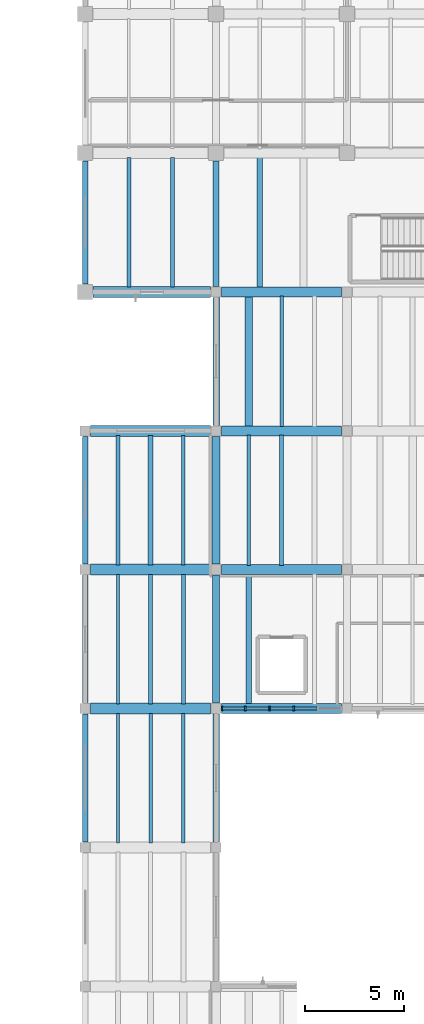
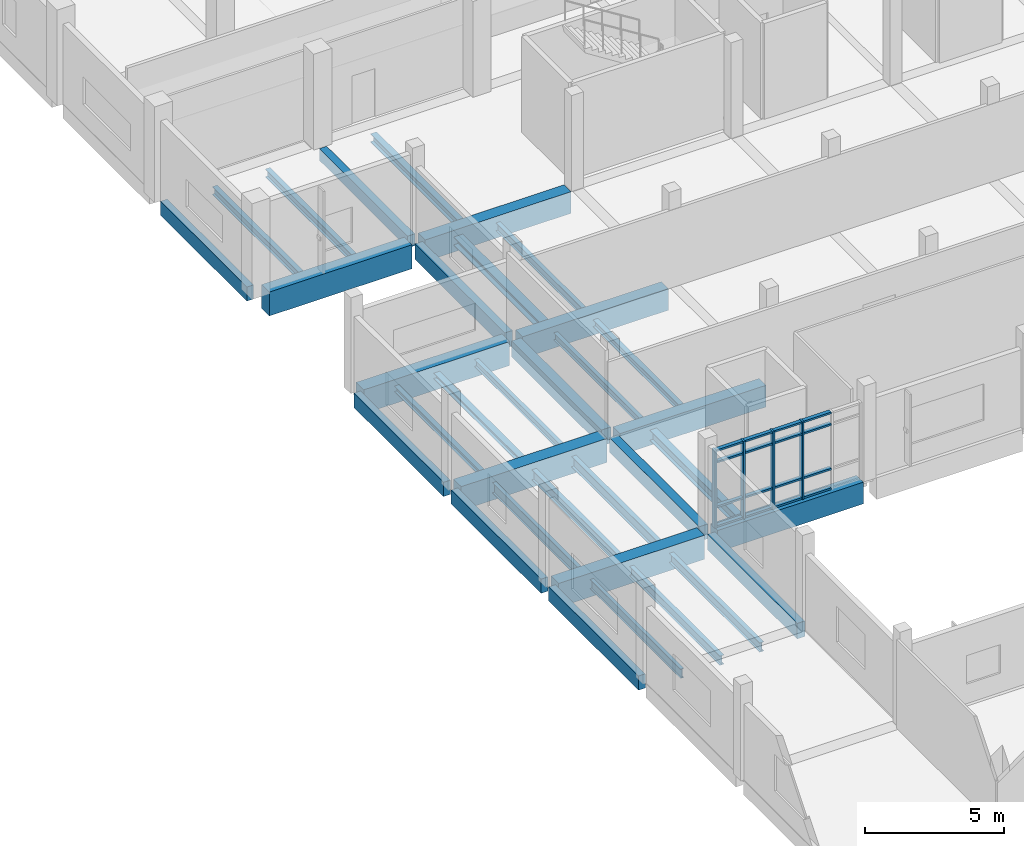
# One storey, part 24 of 65: 34 beams, 20 members, 1 element without a shape of its own.
"""IFC4 building model written with IfcOpenShell, lengths in metres."""

from ifc_helpers import new_model, si_unit, direction, frame, origin, origin_2d, place, context, subcontext, project, spatial, rectangle, i_section, extrude, material, material_profile, profile_set, type_object, element, aggregate, save


model = new_model("IFC4")

# Units and contexts
model_context = context("Model", 3, precision=1e-05, world=origin(), true_north=direction((0.0, 1.0)))
body_context = subcontext(model_context, "Body", "Model", "MODEL_VIEW")
ifc_project = project(units=[si_unit("LENGTHUNIT", "METRE"), si_unit("AREAUNIT", "SQUARE_METRE"), si_unit("VOLUMEUNIT", "CUBIC_METRE"), si_unit("PLANEANGLEUNIT", "RADIAN"), si_unit("MASSUNIT", "GRAM", prefix="KILO")], contexts=[model_context])

# Site, building, storey
site_placement = place(None, origin())
site = spatial("IfcSite", under=ifc_project, at=site_placement, CompositionType="ELEMENT")
building_placement = place(site_placement, origin())
building = spatial("IfcBuilding", under=site, at=building_placement, Name="Ciguamira Faculty of Natural Sciences", CompositionType="ELEMENT")
storey_placement = place(building_placement, frame((0.0, 0.0, 12.60009765625)))
storey = spatial("IfcBuildingStorey", under=building, at=storey_placement, Name="L03", CompositionType="ELEMENT", Elevation=12.60009765625)

# Curtain wall, members
ifc_material_1 = material(Name="Anodized aluminium curtain wall", Category="aluminium")
curtain_wall_type = type_object("IfcCurtainWallType", Name="CurtainWall_CW-09", PredefinedType="USERDEFINED", material=ifc_material_1)
curtain_wall_placement = place(storey_placement, origin())
curtain_wall = element("IfcCurtainWall", 1, at=curtain_wall_placement, inside=storey, type_object=curtain_wall_type, Name="L03 unitised curtain wall 0093", ObjectType="UNITISED CURTAIN WALL", PredefinedType="USERDEFINED")
ifc_material_2 = material(Name="Anodized aluminium mullion", Category="aluminium")
ifc_material_profile_1 = material_profile(ifc_material_2, rectangle(XDim=0.080078125, YDim=0.219970703125, at=origin_2d()), Name="ALU-MUL-80X220")
ifc_profile_set_1 = profile_set([ifc_material_profile_1], Name="Anodized aluminium mullion")
member_type_1 = type_object("IfcMemberType", Name="CWMullion_CWM-03", PredefinedType="MULLION", material=ifc_profile_set_1)
member_1_placement = place(storey_placement, frame((64.18994140625, 73.0, 0.0), z_axis=(0.0, 0.0, 1.0), x_axis=(1.0, 0.0, 0.0)))
member_1 = element("IfcMember", 2, at=member_1_placement, type_object=member_type_1, Name="CW-09 mullion 1", PredefinedType="MULLION", context=body_context, shape_type="SweptSolid", body=[
    extrude(rectangle(XDim=0.080078125, YDim=0.219970703125, at=origin_2d()), origin(), (0.0, 0.0, 1.0), 3.40478515625),
])
member_2_placement = place(storey_placement, frame((65.3701171875, 73.0, 0.0), z_axis=(0.0, 0.0, 1.0), x_axis=(1.0, 0.0, 0.0)))
member_2 = element("IfcMember", 3, at=member_2_placement, type_object=member_type_1, Name="CW-09 mullion 2", PredefinedType="MULLION", context=body_context, shape_type="SweptSolid", body=[
    extrude(rectangle(XDim=0.080078125, YDim=0.219970703125, at=origin_2d()), origin(), (0.0, 0.0, 1.0), 3.40478515625),
])
member_3_placement = place(storey_placement, frame((66.590087890625, 73.0, 0.0), z_axis=(0.0, 0.0, 1.0), x_axis=(1.0, 0.0, 0.0)))
member_3 = element("IfcMember", 4, at=member_3_placement, type_object=member_type_1, Name="CW-09 mullion 3", PredefinedType="MULLION", context=body_context, shape_type="SweptSolid", body=[
    extrude(rectangle(XDim=0.080078125, YDim=0.219970703125, at=origin_2d()), origin(), (0.0, 0.0, 1.0), 3.40478515625),
])
member_4_placement = place(storey_placement, frame((67.81005859375, 73.0, 0.0), z_axis=(0.0, 0.0, 1.0), x_axis=(1.0, 0.0, 0.0)))
member_4 = element("IfcMember", 5, at=member_4_placement, type_object=member_type_1, Name="CW-09 mullion 4", PredefinedType="MULLION", context=body_context, shape_type="SweptSolid", body=[
    extrude(rectangle(XDim=0.080078125, YDim=0.219970703125, at=origin_2d()), origin(), (0.0, 0.0, 1.0), 3.40478515625),
])
ifc_material_3 = material(Name="Anodized aluminium transom", Category="aluminium")
ifc_material_profile_2 = material_profile(ifc_material_3, rectangle(XDim=0.080078125, YDim=0.159912109375, at=origin_2d()), Name="ALU-TRN-80X160")
ifc_profile_set_2 = profile_set([ifc_material_profile_2], Name="Anodized aluminium transom")
member_type_2 = type_object("IfcMemberType", Name="CWTransom_CWT-03", PredefinedType="USERDEFINED", material=ifc_profile_set_2)
member_5_placement = place(storey_placement, frame((64.22998046875, 73.0, 0.039794921875), z_axis=(1.0, 0.0, 0.0), x_axis=(0.0, 0.0, 1.0)))
member_5 = element("IfcMember", 6, at=member_5_placement, type_object=member_type_2, Name="CW-09 transom 1.1", ObjectType="TRANSOM", PredefinedType="USERDEFINED", context=body_context, shape_type="SweptSolid", body=[
    extrude(rectangle(XDim=0.080078125, YDim=0.159912109375, at=origin_2d()), origin(), (0.0, 0.0, 1.0), 1.10009765625),
])
member_6_placement = place(storey_placement, frame((64.22998046875, 73.0, 0.89990234375), z_axis=(1.0, 0.0, 0.0), x_axis=(0.0, 0.0, 1.0)))
member_6 = element("IfcMember", 7, at=member_6_placement, type_object=member_type_2, Name="CW-09 transom 1.2", ObjectType="TRANSOM", PredefinedType="USERDEFINED", context=body_context, shape_type="SweptSolid", body=[
    extrude(rectangle(XDim=0.080078125, YDim=0.159912109375, at=origin_2d()), origin(), (0.0, 0.0, 1.0), 1.10009765625),
])
member_7_placement = place(storey_placement, frame((64.22998046875, 73.0, 2.85498046875), z_axis=(1.0, 0.0, 0.0), x_axis=(0.0, 0.0, 1.0)))
member_7 = element("IfcMember", 8, at=member_7_placement, type_object=member_type_2, Name="CW-09 transom 1.3", ObjectType="TRANSOM", PredefinedType="USERDEFINED", context=body_context, shape_type="SweptSolid", body=[
    extrude(rectangle(XDim=0.080078125, YDim=0.159912109375, at=origin_2d()), origin(), (0.0, 0.0, 1.0), 1.10009765625),
])
member_8_placement = place(storey_placement, frame((64.22998046875, 73.0, 3.364990234375), z_axis=(1.0, 0.0, 0.0), x_axis=(0.0, 0.0, 1.0)))
member_8 = element("IfcMember", 9, at=member_8_placement, type_object=member_type_2, Name="CW-09 transom 1.4", ObjectType="TRANSOM", PredefinedType="USERDEFINED", context=body_context, shape_type="SweptSolid", body=[
    extrude(rectangle(XDim=0.080078125, YDim=0.159912109375, at=origin_2d()), origin(), (0.0, 0.0, 1.0), 1.10009765625),
])
member_9_placement = place(storey_placement, frame((65.409912109375, 73.0, 0.039794921875), z_axis=(1.0, 0.0, 0.0), x_axis=(0.0, 0.0, 1.0)))
member_9 = element("IfcMember", 10, at=member_9_placement, type_object=member_type_2, Name="CW-09 transom 2.1", ObjectType="TRANSOM", PredefinedType="USERDEFINED", context=body_context, shape_type="SweptSolid", body=[
    extrude(rectangle(XDim=0.080078125, YDim=0.159912109375, at=origin_2d()), origin(), (0.0, 0.0, 1.0), 1.14013671875),
])
member_10_placement = place(storey_placement, frame((65.409912109375, 73.0, 0.89990234375), z_axis=(1.0, 0.0, 0.0), x_axis=(0.0, 0.0, 1.0)))
member_10 = element("IfcMember", 11, at=member_10_placement, type_object=member_type_2, Name="CW-09 transom 2.2", ObjectType="TRANSOM", PredefinedType="USERDEFINED", context=body_context, shape_type="SweptSolid", body=[
    extrude(rectangle(XDim=0.080078125, YDim=0.159912109375, at=origin_2d()), origin(), (0.0, 0.0, 1.0), 1.14013671875),
])
member_11_placement = place(storey_placement, frame((65.409912109375, 73.0, 2.85498046875), z_axis=(1.0, 0.0, 0.0), x_axis=(0.0, 0.0, 1.0)))
member_11 = element("IfcMember", 12, at=member_11_placement, type_object=member_type_2, Name="CW-09 transom 2.3", ObjectType="TRANSOM", PredefinedType="USERDEFINED", context=body_context, shape_type="SweptSolid", body=[
    extrude(rectangle(XDim=0.080078125, YDim=0.159912109375, at=origin_2d()), origin(), (0.0, 0.0, 1.0), 1.14013671875),
])
member_12_placement = place(storey_placement, frame((65.409912109375, 73.0, 3.364990234375), z_axis=(1.0, 0.0, 0.0), x_axis=(0.0, 0.0, 1.0)))
member_12 = element("IfcMember", 13, at=member_12_placement, type_object=member_type_2, Name="CW-09 transom 2.4", ObjectType="TRANSOM", PredefinedType="USERDEFINED", context=body_context, shape_type="SweptSolid", body=[
    extrude(rectangle(XDim=0.080078125, YDim=0.159912109375, at=origin_2d()), origin(), (0.0, 0.0, 1.0), 1.14013671875),
])
member_13_placement = place(storey_placement, frame((66.6298828125, 73.0, 0.039794921875), z_axis=(1.0, 0.0, 0.0), x_axis=(0.0, 0.0, 1.0)))
member_13 = element("IfcMember", 14, at=member_13_placement, type_object=member_type_2, Name="CW-09 transom 3.1", ObjectType="TRANSOM", PredefinedType="USERDEFINED", context=body_context, shape_type="SweptSolid", body=[
    extrude(rectangle(XDim=0.080078125, YDim=0.159912109375, at=origin_2d()), origin(), (0.0, 0.0, 1.0), 1.14013671875),
])
member_14_placement = place(storey_placement, frame((66.6298828125, 73.0, 0.89990234375), z_axis=(1.0, 0.0, 0.0), x_axis=(0.0, 0.0, 1.0)))
member_14 = element("IfcMember", 15, at=member_14_placement, type_object=member_type_2, Name="CW-09 transom 3.2", ObjectType="TRANSOM", PredefinedType="USERDEFINED", context=body_context, shape_type="SweptSolid", body=[
    extrude(rectangle(XDim=0.080078125, YDim=0.159912109375, at=origin_2d()), origin(), (0.0, 0.0, 1.0), 1.14013671875),
])
member_15_placement = place(storey_placement, frame((66.6298828125, 73.0, 2.85498046875), z_axis=(1.0, 0.0, 0.0), x_axis=(0.0, 0.0, 1.0)))
member_15 = element("IfcMember", 16, at=member_15_placement, type_object=member_type_2, Name="CW-09 transom 3.3", ObjectType="TRANSOM", PredefinedType="USERDEFINED", context=body_context, shape_type="SweptSolid", body=[
    extrude(rectangle(XDim=0.080078125, YDim=0.159912109375, at=origin_2d()), origin(), (0.0, 0.0, 1.0), 1.14013671875),
])
member_16_placement = place(storey_placement, frame((66.6298828125, 73.0, 3.364990234375), z_axis=(1.0, 0.0, 0.0), x_axis=(0.0, 0.0, 1.0)))
member_16 = element("IfcMember", 17, at=member_16_placement, type_object=member_type_2, Name="CW-09 transom 3.4", ObjectType="TRANSOM", PredefinedType="USERDEFINED", context=body_context, shape_type="SweptSolid", body=[
    extrude(rectangle(XDim=0.080078125, YDim=0.159912109375, at=origin_2d()), origin(), (0.0, 0.0, 1.0), 1.14013671875),
])
member_17_placement = place(storey_placement, frame((67.85009765625, 73.0, 0.039794921875), z_axis=(1.0, 0.0, 0.0), x_axis=(0.0, 0.0, 1.0)))
member_17 = element("IfcMember", 18, at=member_17_placement, type_object=member_type_2, Name="CW-09 transom 4.1", ObjectType="TRANSOM", PredefinedType="USERDEFINED", context=body_context, shape_type="SweptSolid", body=[
    extrude(rectangle(XDim=0.080078125, YDim=0.159912109375, at=origin_2d()), origin(), (0.0, 0.0, 1.0), 1.139892578125),
])
member_18_placement = place(storey_placement, frame((67.85009765625, 73.0, 0.89990234375), z_axis=(1.0, 0.0, 0.0), x_axis=(0.0, 0.0, 1.0)))
member_18 = element("IfcMember", 19, at=member_18_placement, type_object=member_type_2, Name="CW-09 transom 4.2", ObjectType="TRANSOM", PredefinedType="USERDEFINED", context=body_context, shape_type="SweptSolid", body=[
    extrude(rectangle(XDim=0.080078125, YDim=0.159912109375, at=origin_2d()), origin(), (0.0, 0.0, 1.0), 1.139892578125),
])
member_19_placement = place(storey_placement, frame((67.85009765625, 73.0, 2.85498046875), z_axis=(1.0, 0.0, 0.0), x_axis=(0.0, 0.0, 1.0)))
member_19 = element("IfcMember", 20, at=member_19_placement, type_object=member_type_2, Name="CW-09 transom 4.3", ObjectType="TRANSOM", PredefinedType="USERDEFINED", context=body_context, shape_type="SweptSolid", body=[
    extrude(rectangle(XDim=0.080078125, YDim=0.159912109375, at=origin_2d()), origin(), (0.0, 0.0, 1.0), 1.139892578125),
])
member_20_placement = place(storey_placement, frame((67.85009765625, 73.0, 3.364990234375), z_axis=(1.0, 0.0, 0.0), x_axis=(0.0, 0.0, 1.0)))
member_20 = element("IfcMember", 21, at=member_20_placement, type_object=member_type_2, Name="CW-09 transom 4.4", ObjectType="TRANSOM", PredefinedType="USERDEFINED", context=body_context, shape_type="SweptSolid", body=[
    extrude(rectangle(XDim=0.080078125, YDim=0.159912109375, at=origin_2d()), origin(), (0.0, 0.0, 1.0), 1.139892578125),
])
aggregate(curtain_wall, [member_1, member_2, member_3, member_4, member_5, member_6, member_7, member_8, member_9, member_10, member_11, member_12, member_13, member_14, member_15, member_16, member_17, member_18, member_19, member_20])

# Beams
ifc_material_4 = material(Name="Concrete C40/50", Category="concrete")
ifc_material_profile_3 = material_profile(ifc_material_4, rectangle(XDim=0.550048828125, YDim=1.050048828125, at=origin_2d()), Name="RC-BM-550X1050")
ifc_profile_set_3 = profile_set([ifc_material_profile_3], Name="Concrete C40/50")
beam_type_1 = type_object("IfcBeamType", Name="RCBeam_BG-01_RC-BM-550X1050", PredefinedType="BEAM", material=ifc_profile_set_3)
for number, where, z_axis, x_axis, name in (
    (22, (57.574951171875, 73.0, -0.525146484375), (1.0, 0.0, 0.0), (0.0, 1.0, 0.0), "L03 RC girder EW-1120"),
    (23, (57.574951171875, 80.0, -0.525146484375), (1.0, 0.0, 0.0), (0.0, 1.0, 0.0), "L03 RC girder EW-1129"),
    (24, (57.574951171875, 87.0, -0.525146484375), (1.0, 0.0, 0.0), (0.0, 1.0, 0.0), "L03 RC girder EW-1138"),
):
    element("IfcBeam", number, at=place(storey_placement, frame(where, z_axis=z_axis, x_axis=x_axis)), inside=storey, type_object=beam_type_1, Name=name, PredefinedType="BEAM", context=body_context, shape_type="SweptSolid", body=[
        extrude(rectangle(XDim=0.550048828125, YDim=1.050048828125, at=origin_2d()), origin(), (0.0, 0.0, 1.0), 6.050048828125),
    ])
beam_1_placement = place(storey_placement, frame((57.699951171875, 94.0, -0.525146484375), z_axis=(1.0, 0.0, 0.0), x_axis=(0.0, 1.0, 0.0)))
element("IfcBeam", 25, at=beam_1_placement, inside=storey, type_object=beam_type_1, Name="L03 RC girder EW-1147", PredefinedType="BEAM", context=body_context, shape_type="SweptSolid", body=[
    extrude(rectangle(XDim=0.550048828125, YDim=1.050048828125, at=origin_2d()), origin(), (0.0, 0.0, 1.0), 5.925048828125),
])
ifc_material_profile_4 = material_profile(ifc_material_4, rectangle(XDim=0.5, YDim=0.949951171875, at=origin_2d()), Name="RC-BM-500X950")
ifc_profile_set_4 = profile_set([ifc_material_profile_4], Name="Concrete C40/50")
beam_type_2 = type_object("IfcBeamType", Name="RCBeam_BG-02_RC-BM-500X950", PredefinedType="BEAM", material=ifc_profile_set_4)
for number, where, z_axis, x_axis, name in (
    (26, (64.175048828125, 73.0, -0.47509765625), (1.0, 0.0, 0.0), (0.0, 1.0, 0.0), "L03 RC girder EW-1121"),
    (27, (64.175048828125, 80.0, -0.47509765625), (1.0, 0.0, 0.0), (0.0, 1.0, 0.0), "L03 RC girder EW-1130"),
    (28, (64.175048828125, 87.0, -0.47509765625), (1.0, 0.0, 0.0), (0.0, 1.0, 0.0), "L03 RC girder EW-1139"),
    (29, (64.175048828125, 94.0, -0.47509765625), (1.0, 0.0, 0.0), (0.0, 1.0, 0.0), "L03 RC girder EW-1148"),
):
    element("IfcBeam", number, at=place(storey_placement, frame(where, z_axis=z_axis, x_axis=x_axis)), inside=storey, type_object=beam_type_2, Name=name, PredefinedType="BEAM", context=body_context, shape_type="SweptSolid", body=[
        extrude(rectangle(XDim=0.5, YDim=0.949951171875, at=origin_2d()), origin(), (0.0, 0.0, 1.0), 6.050048828125),
    ])
ifc_material_profile_5 = material_profile(ifc_material_4, rectangle(XDim=0.39990234375, YDim=0.699951171875, at=origin_2d()), Name="RC-BM-400X700")
ifc_profile_set_5 = profile_set([ifc_material_profile_5], Name="Concrete C40/50")
beam_type_3 = type_object("IfcBeamType", Name="RCBeam_BG-08_RC-BM-400X700", PredefinedType="BEAM", material=ifc_profile_set_5)
beam_2_placement = place(storey_placement, frame((63.89990234375, 80.27490234375, -0.35009765625), z_axis=(0.0, 1.0, 0.0), x_axis=(-1.0, 0.0, 0.0)))
element("IfcBeam", 30, at=beam_2_placement, inside=storey, type_object=beam_type_3, Name="L03 girder NS-1224", PredefinedType="BEAM", context=body_context, shape_type="SweptSolid", body=[
    extrude(rectangle(XDim=0.39990234375, YDim=0.699951171875, at=origin_2d()), origin(), (0.0, 0.0, 1.0), 6.4501953125),
])
ifc_material_profile_6 = material_profile(ifc_material_4, rectangle(XDim=0.360107421875, YDim=0.639892578125, at=origin_2d()), Name="RC-BM-360X640")
ifc_profile_set_6 = profile_set([ifc_material_profile_6], Name="Concrete C40/50")
beam_type_4 = type_object("IfcBeamType", Name="RCBeam_BG-10_RC-BM-360X640", PredefinedType="BEAM", material=ifc_profile_set_6)
beam_3_placement = place(storey_placement, frame((63.89990234375, 73.27490234375, -0.320068359375), z_axis=(0.0, 1.0, 0.0), x_axis=(-1.0, 0.0, 0.0)))
element("IfcBeam", 31, at=beam_3_placement, inside=storey, type_object=beam_type_4, Name="L03 girder NS-1223", PredefinedType="BEAM", context=body_context, shape_type="SweptSolid", body=[
    extrude(rectangle(XDim=0.360107421875, YDim=0.639892578125, at=origin_2d()), origin(), (0.0, 0.0, 1.0), 6.4501953125),
])
ifc_material_profile_7 = material_profile(ifc_material_4, rectangle(XDim=0.300048828125, YDim=0.52001953125, at=origin_2d()), Name="RC-BM-300X520")
ifc_profile_set_7 = profile_set([ifc_material_profile_7], Name="Concrete C40/50")
beam_type_5 = type_object("IfcBeamType", Name="RCBeam_BG-13_RC-BM-300X520", PredefinedType="BEAM", material=ifc_profile_set_7)
beam_4_placement = place(storey_placement, frame((63.89990234375, 94.27490234375, -0.260009765625), z_axis=(0.0, 1.0, 0.0), x_axis=(-1.0, 0.0, 0.0)))
element("IfcBeam", 32, at=beam_4_placement, inside=storey, type_object=beam_type_5, Name="L03 girder NS-1226", PredefinedType="BEAM", context=body_context, shape_type="SweptSolid", body=[
    extrude(rectangle(XDim=0.300048828125, YDim=0.52001953125, at=origin_2d()), origin(), (0.0, 0.0, 1.0), 6.3251953125),
])
ifc_material_5 = material(Name="Precast concrete C40/50", Category="concrete")
ifc_material_profile_8 = material_profile(ifc_material_5, rectangle(XDim=0.280029296875, YDim=0.6201171875, at=origin_2d()), Name="RC-SP-280X620")
ifc_profile_set_8 = profile_set([ifc_material_profile_8], Name="Precast concrete C40/50")
beam_type_6 = type_object("IfcBeamType", Name="RCBeam_SP-01_RC-SP-280X620", PredefinedType="SPANDREL", material=ifc_profile_set_8)
for number, where, z_axis, x_axis, name in (
    (33, (57.300048828125, 66.27490234375, -0.31005859375), (0.0, 1.0, 0.0), (-1.0, 0.0, 0.0), "L03 girder NS-1210"),
    (34, (57.300048828125, 73.27490234375, -0.31005859375), (0.0, 1.0, 0.0), (-1.0, 0.0, 0.0), "L03 girder NS-1211"),
    (35, (57.300048828125, 80.27490234375, -0.31005859375), (0.0, 1.0, 0.0), (-1.0, 0.0, 0.0), "L03 girder NS-1212"),
):
    element("IfcBeam", number, at=place(storey_placement, frame(where, z_axis=z_axis, x_axis=x_axis)), inside=storey, type_object=beam_type_6, Name=name, PredefinedType="SPANDREL", context=body_context, shape_type="SweptSolid", body=[
        extrude(rectangle(XDim=0.280029296875, YDim=0.6201171875, at=origin_2d()), origin(), (0.0, 0.0, 1.0), 6.4501953125),
    ])
beam_5_placement = place(storey_placement, frame((57.300048828125, 94.39990234375, -0.31005859375), z_axis=(0.0, 1.0, 0.0), x_axis=(-1.0, 0.0, 0.0)))
element("IfcBeam", 36, at=beam_5_placement, inside=storey, type_object=beam_type_6, Name="L03 girder NS-1213", PredefinedType="SPANDREL", context=body_context, shape_type="SweptSolid", body=[
    extrude(rectangle(XDim=0.280029296875, YDim=0.6201171875, at=origin_2d()), origin(), (0.0, 0.0, 1.0), 6.2001953125),
])
ifc_material_profile_9 = material_profile(ifc_material_5, rectangle(XDim=0.320068359375, YDim=0.679931640625, at=origin_2d()), Name="RC-SP-320X680")
ifc_profile_set_9 = profile_set([ifc_material_profile_9], Name="Precast concrete C40/50")
beam_type_7 = type_object("IfcBeamType", Name="RCBeam_SP-02_RC-SP-320X680", PredefinedType="SPANDREL", material=ifc_profile_set_9)
for number, where, z_axis, x_axis, name in (
    (37, (63.89990234375, 66.27490234375, -0.340087890625), (0.0, 1.0, 0.0), (-1.0, 0.0, 0.0), "L03 girder NS-1222"),
    (38, (63.89990234375, 87.27490234375, -0.340087890625), (0.0, 1.0, 0.0), (-1.0, 0.0, 0.0), "L03 girder NS-1225"),
):
    element("IfcBeam", number, at=place(storey_placement, frame(where, z_axis=z_axis, x_axis=x_axis)), inside=storey, type_object=beam_type_7, Name=name, PredefinedType="SPANDREL", context=body_context, shape_type="SweptSolid", body=[
        extrude(rectangle(XDim=0.320068359375, YDim=0.679931640625, at=origin_2d()), origin(), (0.0, 0.0, 1.0), 6.4501953125),
    ])
ifc_material_6 = material(Name="Steel ASTM A992 Grade 50", Category="steel")
ifc_material_profile_10 = material_profile(ifc_material_6, i_section(OverallWidth=0.2021484375, OverallDepth=0.2470703125, WebThickness=0.00732421875, FlangeThickness=0.010986328125, at=origin_2d()), Name="W10X33")
ifc_profile_set_10 = profile_set([ifc_material_profile_10], Name="Steel ASTM A992 Grade 50")
beam_type_8 = type_object("IfcBeamType", Name="SteelJoist_SJ-02_W10X33", PredefinedType="JOIST", material=ifc_profile_set_10)
beam_6_placement = place(storey_placement, frame((58.949951171875, 80.235107421875, -0.40380859375), z_axis=(0.0, 1.0, 0.0), x_axis=(-1.0, 0.0, 0.0)))
element("IfcBeam", 39, at=beam_6_placement, inside=storey, type_object=beam_type_8, Name="L03 composite steel joist 01039", PredefinedType="JOIST", context=body_context, shape_type="SweptSolid", body=[
    extrude(i_section(OverallWidth=0.2021484375, OverallDepth=0.2470703125, WebThickness=0.00732421875, FlangeThickness=0.010986328125, at=origin_2d()), origin(), (0.0, 0.0, 1.0), 6.52978515625),
])
ifc_material_profile_11 = material_profile(ifc_material_6, i_section(OverallWidth=0.25390625, OverallDepth=0.25390625, WebThickness=0.008544921875, FlangeThickness=0.01416015625, at=origin_2d()), Name="W10X49")
ifc_profile_set_11 = profile_set([ifc_material_profile_11], Name="Steel ASTM A992 Grade 50")
beam_type_9 = type_object("IfcBeamType", Name="SteelJoist_SJ-03_W10X49", PredefinedType="JOIST", material=ifc_profile_set_11)
beam_7_placement = place(storey_placement, frame((60.60009765625, 80.235107421875, -0.406982421875), z_axis=(0.0, 1.0, 0.0), x_axis=(-1.0, 0.0, 0.0)))
element("IfcBeam", 40, at=beam_7_placement, inside=storey, type_object=beam_type_9, Name="L03 composite steel joist 01040", PredefinedType="JOIST", context=body_context, shape_type="SweptSolid", body=[
    extrude(i_section(OverallWidth=0.25390625, OverallDepth=0.25390625, WebThickness=0.008544921875, FlangeThickness=0.01416015625, at=origin_2d()), origin(), (0.0, 0.0, 1.0), 6.52978515625),
])
ifc_material_profile_12 = material_profile(ifc_material_6, i_section(OverallWidth=0.164794921875, OverallDepth=0.309814453125, WebThickness=0.005859375, FlangeThickness=0.009765625, at=origin_2d()), Name="W12X26")
ifc_profile_set_12 = profile_set([ifc_material_profile_12], Name="Steel ASTM A992 Grade 50")
beam_type_10 = type_object("IfcBeamType", Name="SteelJoist_SJ-04_W12X26", PredefinedType="JOIST", material=ifc_profile_set_12)
beam_8_placement = place(storey_placement, frame((62.25, 80.235107421875, -0.43505859375), z_axis=(0.0, 1.0, 0.0), x_axis=(-1.0, 0.0, 0.0)))
element("IfcBeam", 41, at=beam_8_placement, inside=storey, type_object=beam_type_10, Name="L03 composite steel joist 01041", PredefinedType="JOIST", context=body_context, shape_type="SweptSolid", body=[
    extrude(i_section(OverallWidth=0.164794921875, OverallDepth=0.309814453125, WebThickness=0.005859375, FlangeThickness=0.009765625, at=origin_2d()), origin(), (0.0, 0.0, 1.0), 6.52978515625),
])
ifc_material_profile_13 = material_profile(ifc_material_6, i_section(OverallWidth=0.16650390625, OverallDepth=0.3173828125, WebThickness=0.007568359375, FlangeThickness=0.01318359375, at=origin_2d()), Name="W12X35")
ifc_profile_set_13 = profile_set([ifc_material_profile_13], Name="Steel ASTM A992 Grade 50")
beam_type_11 = type_object("IfcBeamType", Name="SteelJoist_SJ-05_W12X35", PredefinedType="JOIST", material=ifc_profile_set_13)
beam_9_placement = place(storey_placement, frame((65.550048828125, 80.2099609375, -0.438720703125), z_axis=(0.0, 1.0, 0.0), x_axis=(-1.0, 0.0, 0.0)))
element("IfcBeam", 42, at=beam_9_placement, inside=storey, type_object=beam_type_11, Name="L03 composite steel joist 01065", PredefinedType="JOIST", context=body_context, shape_type="SweptSolid", body=[
    extrude(i_section(OverallWidth=0.16650390625, OverallDepth=0.3173828125, WebThickness=0.007568359375, FlangeThickness=0.01318359375, at=origin_2d()), origin(), (0.0, 0.0, 1.0), 6.580078125),
])
ifc_material_profile_14 = material_profile(ifc_material_6, i_section(OverallWidth=0.20458984375, OverallDepth=0.307373046875, WebThickness=0.008544921875, FlangeThickness=0.0146484375, at=origin_2d()), Name="W12X45")
ifc_profile_set_14 = profile_set([ifc_material_profile_14], Name="Steel ASTM A992 Grade 50")
beam_type_12 = type_object("IfcBeamType", Name="SteelJoist_SJ-06_W12X45", PredefinedType="JOIST", material=ifc_profile_set_14)
beam_10_placement = place(storey_placement, frame((67.199951171875, 80.2099609375, -0.433837890625), z_axis=(0.0, 1.0, 0.0), x_axis=(-1.0, 0.0, 0.0)))
element("IfcBeam", 43, at=beam_10_placement, inside=storey, type_object=beam_type_12, Name="L03 composite steel joist 01066", PredefinedType="JOIST", context=body_context, shape_type="SweptSolid", body=[
    extrude(i_section(OverallWidth=0.20458984375, OverallDepth=0.307373046875, WebThickness=0.008544921875, FlangeThickness=0.0146484375, at=origin_2d()), origin(), (0.0, 0.0, 1.0), 6.580078125),
])
ifc_material_profile_15 = material_profile(ifc_material_6, i_section(OverallWidth=0.373291015625, OverallDepth=0.373291015625, WebThickness=0.016357421875, FlangeThickness=0.026123046875, at=origin_2d()), Name="W14X132")
ifc_profile_set_15 = profile_set([ifc_material_profile_15], Name="Steel ASTM A992 Grade 50")
beam_type_13 = type_object("IfcBeamType", Name="SteelJoist_SJ-10_W14X132", PredefinedType="JOIST", material=ifc_profile_set_15)
beam_11_placement = place(storey_placement, frame((65.550048828125, 87.2099609375, -0.466796875), z_axis=(0.0, 1.0, 0.0), x_axis=(-1.0, 0.0, 0.0)))
element("IfcBeam", 44, at=beam_11_placement, inside=storey, type_object=beam_type_13, Name="L03 composite steel joist 01068", PredefinedType="JOIST", context=body_context, shape_type="SweptSolid", body=[
    extrude(i_section(OverallWidth=0.373291015625, OverallDepth=0.373291015625, WebThickness=0.016357421875, FlangeThickness=0.026123046875, at=origin_2d()), origin(), (0.0, 0.0, 1.0), 6.580078125),
])
ifc_material_profile_16 = material_profile(ifc_material_6, i_section(OverallWidth=0.1708984375, OverallDepth=0.3505859375, WebThickness=0.0068359375, FlangeThickness=0.009765625, at=origin_2d()), Name="W14X30")
ifc_profile_set_16 = profile_set([ifc_material_profile_16], Name="Steel ASTM A992 Grade 50")
beam_type_14 = type_object("IfcBeamType", Name="SteelJoist_SJ-11_W14X30", PredefinedType="JOIST", material=ifc_profile_set_16)
beam_12_placement = place(storey_placement, frame((67.199951171875, 87.2099609375, -0.455322265625), z_axis=(0.0, 1.0, 0.0), x_axis=(-1.0, 0.0, 0.0)))
element("IfcBeam", 45, at=beam_12_placement, inside=storey, type_object=beam_type_14, Name="L03 composite steel joist 01069", PredefinedType="JOIST", context=body_context, shape_type="SweptSolid", body=[
    extrude(i_section(OverallWidth=0.1708984375, OverallDepth=0.3505859375, WebThickness=0.0068359375, FlangeThickness=0.009765625, at=origin_2d()), origin(), (0.0, 0.0, 1.0), 6.580078125),
])
ifc_material_profile_17 = material_profile(ifc_material_6, i_section(OverallWidth=0.203125, OverallDepth=0.347900390625, WebThickness=0.0078125, FlangeThickness=0.013427734375, at=origin_2d()), Name="W14X43")
ifc_profile_set_17 = profile_set([ifc_material_profile_17], Name="Steel ASTM A992 Grade 50")
beam_type_15 = type_object("IfcBeamType", Name="SteelJoist_SJ-12_W14X43", PredefinedType="JOIST", material=ifc_profile_set_17)
beam_13_placement = place(storey_placement, frame((59.5, 94.235107421875, -0.4140625), z_axis=(0.0, 1.0, 0.0), x_axis=(-1.0, 0.0, 0.0)))
element("IfcBeam", 46, at=beam_13_placement, inside=storey, type_object=beam_type_15, Name="L03 composite steel joist 01042", PredefinedType="JOIST", context=body_context, shape_type="SweptSolid", body=[
    extrude(i_section(OverallWidth=0.203125, OverallDepth=0.347900390625, WebThickness=0.0078125, FlangeThickness=0.013427734375, at=origin_2d()), origin(), (0.0, 0.0, 1.0), 6.52978515625),
])
ifc_material_profile_18 = material_profile(ifc_material_6, i_section(OverallWidth=0.204833984375, OverallDepth=0.35302734375, WebThickness=0.00927734375, FlangeThickness=0.016845703125, at=origin_2d()), Name="W14X53")
ifc_profile_set_18 = profile_set([ifc_material_profile_18], Name="Steel ASTM A992 Grade 50")
beam_type_16 = type_object("IfcBeamType", Name="SteelJoist_SJ-13_W14X53", PredefinedType="JOIST", material=ifc_profile_set_18)
beam_14_placement = place(storey_placement, frame((61.699951171875, 94.235107421875, -0.41650390625), z_axis=(0.0, 1.0, 0.0), x_axis=(-1.0, 0.0, 0.0)))
element("IfcBeam", 47, at=beam_14_placement, inside=storey, type_object=beam_type_16, Name="L03 composite steel joist 01043", PredefinedType="JOIST", context=body_context, shape_type="SweptSolid", body=[
    extrude(i_section(OverallWidth=0.204833984375, OverallDepth=0.35302734375, WebThickness=0.00927734375, FlangeThickness=0.016845703125, at=origin_2d()), origin(), (0.0, 0.0, 1.0), 6.52978515625),
])
ifc_material_profile_19 = material_profile(ifc_material_6, i_section(OverallWidth=0.256591796875, OverallDepth=0.36328125, WebThickness=0.012939453125, FlangeThickness=0.021728515625, at=origin_2d()), Name="W14X82")
ifc_profile_set_19 = profile_set([ifc_material_profile_19], Name="Steel ASTM A992 Grade 50")
beam_type_17 = type_object("IfcBeamType", Name="SteelJoist_SJ-15_W14X82", PredefinedType="JOIST", material=ifc_profile_set_19)
beam_15_placement = place(storey_placement, frame((66.10009765625, 94.2099609375, -0.421630859375), z_axis=(0.0, 1.0, 0.0), x_axis=(-1.0, 0.0, 0.0)))
element("IfcBeam", 48, at=beam_15_placement, inside=storey, type_object=beam_type_17, Name="L03 composite steel joist 01071", PredefinedType="JOIST", context=body_context, shape_type="SweptSolid", body=[
    extrude(i_section(OverallWidth=0.256591796875, OverallDepth=0.36328125, WebThickness=0.012939453125, FlangeThickness=0.021728515625, at=origin_2d()), origin(), (0.0, 0.0, 1.0), 6.580078125),
])
ifc_material_profile_20 = material_profile(ifc_material_6, i_section(OverallWidth=0.140380859375, OverallDepth=0.40380859375, WebThickness=0.007080078125, FlangeThickness=0.01123046875, at=origin_2d()), Name="W16X31")
ifc_profile_set_20 = profile_set([ifc_material_profile_20], Name="Steel ASTM A992 Grade 50")
beam_type_18 = type_object("IfcBeamType", Name="SteelJoist_SJ-17_W16X31", PredefinedType="JOIST", material=ifc_profile_set_20)
beam_16_placement = place(storey_placement, frame((58.949951171875, 66.235107421875, -0.48193359375), z_axis=(0.0, 1.0, 0.0), x_axis=(-1.0, 0.0, 0.0)))
element("IfcBeam", 49, at=beam_16_placement, inside=storey, type_object=beam_type_18, Name="L03 composite steel joist 01033", PredefinedType="JOIST", context=body_context, shape_type="SweptSolid", body=[
    extrude(i_section(OverallWidth=0.140380859375, OverallDepth=0.40380859375, WebThickness=0.007080078125, FlangeThickness=0.01123046875, at=origin_2d()), origin(), (0.0, 0.0, 1.0), 6.52978515625),
])
ifc_material_profile_21 = material_profile(ifc_material_6, i_section(OverallWidth=0.177490234375, OverallDepth=0.40380859375, WebThickness=0.007568359375, FlangeThickness=0.010986328125, at=origin_2d()), Name="W16X36")
ifc_profile_set_21 = profile_set([ifc_material_profile_21], Name="Steel ASTM A992 Grade 50")
beam_type_19 = type_object("IfcBeamType", Name="SteelJoist_SJ-18_W16X36", PredefinedType="JOIST", material=ifc_profile_set_21)
beam_17_placement = place(storey_placement, frame((60.60009765625, 66.235107421875, -0.48193359375), z_axis=(0.0, 1.0, 0.0), x_axis=(-1.0, 0.0, 0.0)))
element("IfcBeam", 50, at=beam_17_placement, inside=storey, type_object=beam_type_19, Name="L03 composite steel joist 01034", PredefinedType="JOIST", context=body_context, shape_type="SweptSolid", body=[
    extrude(i_section(OverallWidth=0.177490234375, OverallDepth=0.40380859375, WebThickness=0.007568359375, FlangeThickness=0.010986328125, at=origin_2d()), origin(), (0.0, 0.0, 1.0), 6.52978515625),
])
ifc_material_profile_22 = material_profile(ifc_material_6, i_section(OverallWidth=0.1787109375, OverallDepth=0.408935546875, WebThickness=0.0087890625, FlangeThickness=0.014404296875, at=origin_2d()), Name="W16X45")
ifc_profile_set_22 = profile_set([ifc_material_profile_22], Name="Steel ASTM A992 Grade 50")
beam_type_20 = type_object("IfcBeamType", Name="SteelJoist_SJ-19_W16X45", PredefinedType="JOIST", material=ifc_profile_set_22)
beam_18_placement = place(storey_placement, frame((62.25, 66.235107421875, -0.484619140625), z_axis=(0.0, 1.0, 0.0), x_axis=(-1.0, 0.0, 0.0)))
element("IfcBeam", 51, at=beam_18_placement, inside=storey, type_object=beam_type_20, Name="L03 composite steel joist 01035", PredefinedType="JOIST", context=body_context, shape_type="SweptSolid", body=[
    extrude(i_section(OverallWidth=0.1787109375, OverallDepth=0.408935546875, WebThickness=0.0087890625, FlangeThickness=0.014404296875, at=origin_2d()), origin(), (0.0, 0.0, 1.0), 6.52978515625),
])
ifc_material_profile_23 = material_profile(ifc_material_6, i_section(OverallWidth=0.15283203125, OverallDepth=0.45458984375, WebThickness=0.008056640625, FlangeThickness=0.013427734375, at=origin_2d()), Name="W18X40")
ifc_profile_set_23 = profile_set([ifc_material_profile_23], Name="Steel ASTM A992 Grade 50")
beam_type_21 = type_object("IfcBeamType", Name="SteelJoist_SJ-22_W18X40", PredefinedType="JOIST", material=ifc_profile_set_23)
beam_19_placement = place(storey_placement, frame((58.949951171875, 73.235107421875, -0.50732421875), z_axis=(0.0, 1.0, 0.0), x_axis=(-1.0, 0.0, 0.0)))
element("IfcBeam", 52, at=beam_19_placement, inside=storey, type_object=beam_type_21, Name="L03 composite steel joist 01036", PredefinedType="JOIST", context=body_context, shape_type="SweptSolid", body=[
    extrude(i_section(OverallWidth=0.15283203125, OverallDepth=0.45458984375, WebThickness=0.008056640625, FlangeThickness=0.013427734375, at=origin_2d()), origin(), (0.0, 0.0, 1.0), 6.52978515625),
])
ifc_material_profile_24 = material_profile(ifc_material_6, i_section(OverallWidth=0.1904296875, OverallDepth=0.457275390625, WebThickness=0.009033203125, FlangeThickness=0.014404296875, at=origin_2d()), Name="W18X50")
ifc_profile_set_24 = profile_set([ifc_material_profile_24], Name="Steel ASTM A992 Grade 50")
beam_type_22 = type_object("IfcBeamType", Name="SteelJoist_SJ-23_W18X50", PredefinedType="JOIST", material=ifc_profile_set_24)
beam_20_placement = place(storey_placement, frame((60.60009765625, 73.235107421875, -0.5087890625), z_axis=(0.0, 1.0, 0.0), x_axis=(-1.0, 0.0, 0.0)))
element("IfcBeam", 53, at=beam_20_placement, inside=storey, type_object=beam_type_22, Name="L03 composite steel joist 01037", PredefinedType="JOIST", context=body_context, shape_type="SweptSolid", body=[
    extrude(i_section(OverallWidth=0.1904296875, OverallDepth=0.457275390625, WebThickness=0.009033203125, FlangeThickness=0.014404296875, at=origin_2d()), origin(), (0.0, 0.0, 1.0), 6.52978515625),
])
ifc_material_profile_25 = material_profile(ifc_material_6, i_section(OverallWidth=0.19287109375, OverallDepth=0.46728515625, WebThickness=0.011474609375, FlangeThickness=0.01904296875, at=origin_2d()), Name="W18X65")
ifc_profile_set_25 = profile_set([ifc_material_profile_25], Name="Steel ASTM A992 Grade 50")
beam_type_23 = type_object("IfcBeamType", Name="SteelJoist_SJ-24_W18X65", PredefinedType="JOIST", material=ifc_profile_set_25)
beam_21_placement = place(storey_placement, frame((62.25, 73.235107421875, -0.513916015625), z_axis=(0.0, 1.0, 0.0), x_axis=(-1.0, 0.0, 0.0)))
element("IfcBeam", 54, at=beam_21_placement, inside=storey, type_object=beam_type_23, Name="L03 composite steel joist 01038", PredefinedType="JOIST", context=body_context, shape_type="SweptSolid", body=[
    extrude(i_section(OverallWidth=0.19287109375, OverallDepth=0.46728515625, WebThickness=0.011474609375, FlangeThickness=0.01904296875, at=origin_2d()), origin(), (0.0, 0.0, 1.0), 6.52978515625),
])
ifc_material_profile_26 = material_profile(ifc_material_6, i_section(OverallWidth=0.279296875, OverallDepth=0.462158203125, WebThickness=0.0107421875, FlangeThickness=0.017333984375, at=origin_2d()), Name="W18X76")
ifc_profile_set_26 = profile_set([ifc_material_profile_26], Name="Steel ASTM A992 Grade 50")
beam_type_24 = type_object("IfcBeamType", Name="SteelJoist_SJ-25_W18X76", PredefinedType="JOIST", material=ifc_profile_set_26)
beam_22_placement = place(storey_placement, frame((65.550048828125, 73.2099609375, -0.51123046875), z_axis=(0.0, 1.0, 0.0), x_axis=(-1.0, 0.0, 0.0)))
element("IfcBeam", 55, at=beam_22_placement, inside=storey, type_object=beam_type_24, Name="L03 composite steel joist 01063", PredefinedType="JOIST", context=body_context, shape_type="SweptSolid", body=[
    extrude(i_section(OverallWidth=0.279296875, OverallDepth=0.462158203125, WebThickness=0.0107421875, FlangeThickness=0.017333984375, at=origin_2d()), origin(), (0.0, 0.0, 1.0), 6.580078125),
])

save(model, "model.ifc")
